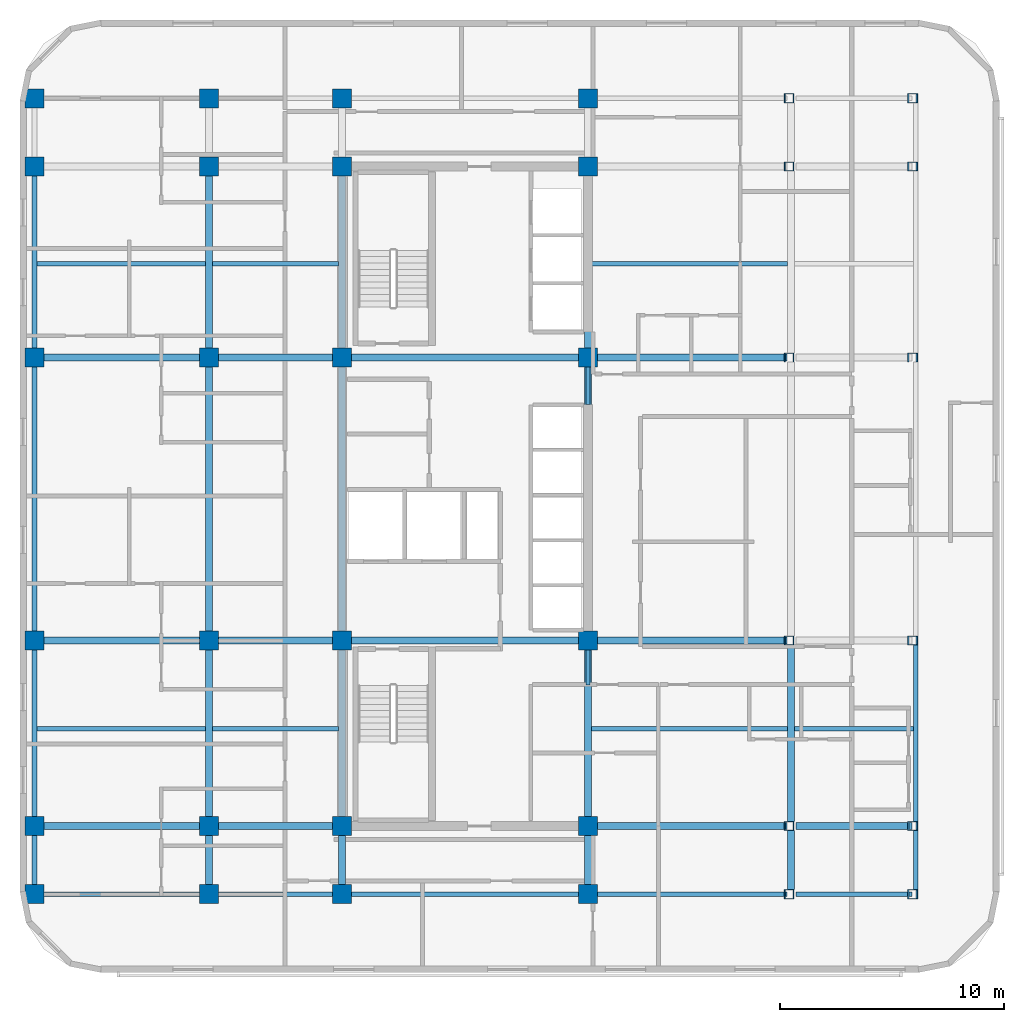
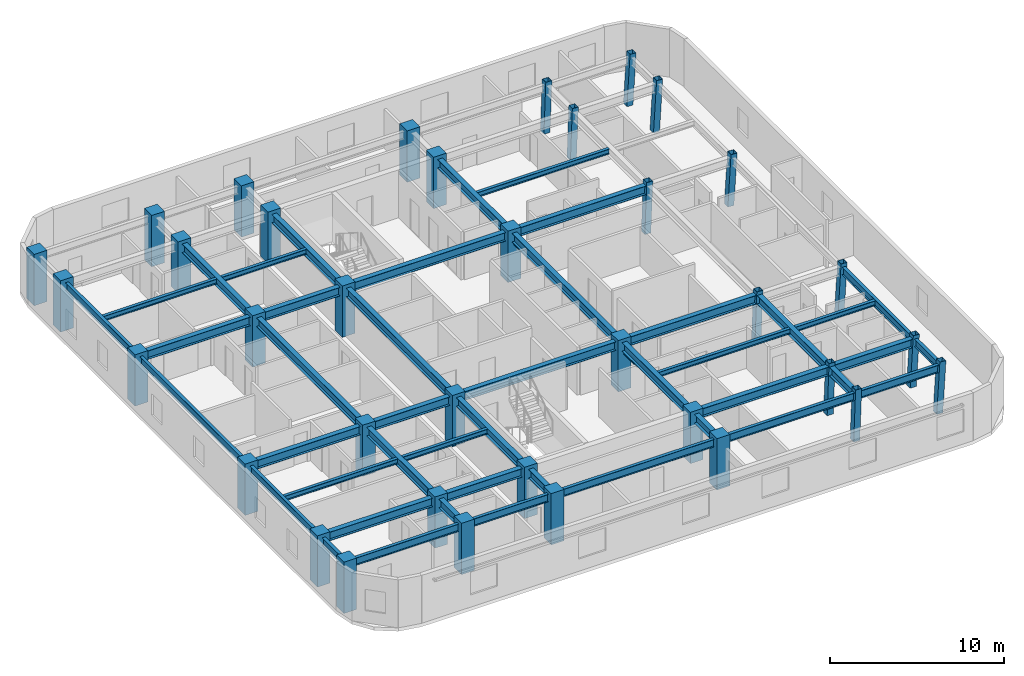
# One storey, part 1 of 11: 46 beams, 36 columns.
"""IFC4 building model written with IfcOpenShell, lengths in metres."""

from ifc_helpers import new_model, si_unit, direction, frame, origin, origin_2d, place, context, subcontext, project, spatial, rectangle, hollow_rectangle, i_section, extrude, material, material_profile, profile_set, type_object, element, save


model = new_model("IFC4")

# Units and contexts
model_context = context("Model", 3, precision=1e-05, world=origin(), true_north=direction((0.0, 1.0)))
body_context = subcontext(model_context, "Body", "Model", "MODEL_VIEW")
ifc_project = project(units=[si_unit("LENGTHUNIT", "METRE"), si_unit("AREAUNIT", "SQUARE_METRE"), si_unit("VOLUMEUNIT", "CUBIC_METRE"), si_unit("PLANEANGLEUNIT", "RADIAN"), si_unit("MASSUNIT", "GRAM", prefix="KILO")], contexts=[model_context])

# Site, building, storey
site_placement = place(None, origin())
site = spatial("IfcSite", under=ifc_project, at=site_placement, CompositionType="ELEMENT")
building_placement = place(site_placement, origin())
building = spatial("IfcBuilding", under=site, at=building_placement, Name="Ochreholt Gables", CompositionType="ELEMENT")
storey_placement = place(building_placement, frame((0.0, 0.0, 121.199951171875)))
storey = spatial("IfcBuildingStorey", under=building, at=storey_placement, Name="L31", CompositionType="ELEMENT", Elevation=121.199951171875)

# Columns
ifc_material_1 = material(Name="Steel CSA G40.21 350W", Category="steel")
ifc_material_profile_1 = material_profile(ifc_material_1, hollow_rectangle(XDim=0.406005859375, YDim=0.406005859375, WallThickness=0.01611328125, at=origin_2d()), Name="HSS406X406X16")
ifc_profile_set_1 = profile_set([ifc_material_profile_1], Name="Steel CSA G40.21 350W")
column_type_1 = type_object("IfcColumnType", Name="COL-HSS406-RAK", PredefinedType="COLUMN", material=ifc_profile_set_1)
for number, where, z_axis, x_axis, name in (
    (1, (44.177978515625, 9.25, 0.0), (0.034971136209, 0.0, 0.999388322742), (0.0, 1.0, 0.0), "L31 Column EMY2"),
    (2, (44.177978515625, 17.550048828125, 0.0), (0.034971136209, 0.0, 0.999388322742), (0.0, 1.0, 0.0), "L31 Column EMY3"),
    (3, (44.177978515625, 30.199951171875, 0.0), (0.034971136209, 0.0, 0.999388322742), (0.0, 1.0, 0.0), "L31 Column EMY4"),
    (4, (44.177978515625, 38.75, 0.0), (0.034971136209, 0.0, 0.999388322742), (0.0, 1.0, 0.0), "L31 Column EMY5"),
):
    element("IfcColumn", number, at=place(storey_placement, frame(where, z_axis=z_axis, x_axis=x_axis)), inside=storey, type_object=column_type_1, Name=name, PredefinedType="COLUMN", context=body_context, shape_type="SweptSolid", body=[
        extrude(hollow_rectangle(XDim=0.406005859375, YDim=0.406005859375, WallThickness=0.01611328125, at=origin_2d()), origin(), (0.0, 0.0, 1.0), 3.602294921875),
    ])
ifc_material_profile_2 = material_profile(ifc_material_1, hollow_rectangle(XDim=0.406005859375, YDim=0.406005859375, WallThickness=0.01611328125, at=origin_2d()), Name="HSS406X406X16")
ifc_profile_set_2 = profile_set([ifc_material_profile_2], Name="Steel CSA G40.21 350W")
column_type_2 = type_object("IfcColumnType", Name="COL-HSS406-RAKE", PredefinedType="COLUMN", material=ifc_profile_set_2)
for number, where, z_axis, x_axis, name in (
    (5, (44.177978515625, 6.199951171875, 0.0), (0.034971136209, 0.0, 0.999388322742), (0.0, 1.0, 0.0), "L31 Column EMY1"),
    (6, (44.177978515625, 41.800048828125, 0.0), (0.034971136209, 0.0, 0.999388322742), (0.0, 1.0, 0.0), "L31 Column EMY6"),
):
    element("IfcColumn", number, at=place(storey_placement, frame(where, z_axis=z_axis, x_axis=x_axis)), inside=storey, type_object=column_type_2, Name=name, PredefinedType="COLUMN", context=body_context, shape_type="SweptSolid", body=[
        extrude(hollow_rectangle(XDim=0.406005859375, YDim=0.406005859375, WallThickness=0.01611328125, at=origin_2d()), origin(), (0.0, 0.0, 1.0), 3.602294921875),
    ])
for number, where, z_axis, x_axis, name in (
    (7, (49.686279296875, 6.199951171875, 0.0), (0.057952080376, 0.0, 0.998319365925), (0.0, 1.0, 0.0), "L31 Column EEY1"),
    (8, (49.686279296875, 9.25, 0.0), (0.057952080376, 0.0, 0.998319365925), (0.0, 1.0, 0.0), "L31 Column EEY2"),
    (9, (49.686279296875, 17.550048828125, 0.0), (0.057952080376, 0.0, 0.998319365925), (0.0, 1.0, 0.0), "L31 Column EEY3"),
    (10, (49.686279296875, 30.199951171875, 0.0), (0.057952080376, 0.0, 0.998319365925), (0.0, 1.0, 0.0), "L31 Column EEY4"),
    (11, (49.686279296875, 38.75, 0.0), (0.057952080376, 0.0, 0.998319365925), (0.0, 1.0, 0.0), "L31 Column EEY5"),
    (12, (49.686279296875, 41.800048828125, 0.0), (0.057952080376, 0.0, 0.998319365925), (0.0, 1.0, 0.0), "L31 Column EEY6"),
):
    element("IfcColumn", number, at=place(storey_placement, frame(where, z_axis=z_axis, x_axis=x_axis)), inside=storey, type_object=column_type_2, Name=name, PredefinedType="COLUMN", context=body_context, shape_type="SweptSolid", body=[
        extrude(hollow_rectangle(XDim=0.406005859375, YDim=0.406005859375, WallThickness=0.01611328125, at=origin_2d()), origin(), (0.0, 0.0, 1.0), 3.606201171875),
    ])
ifc_material_2 = material(Name="Concrete 60 MPa", Category="concrete")
ifc_material_profile_3 = material_profile(ifc_material_2, rectangle(XDim=0.85009765625, YDim=0.85009765625, at=origin_2d()), Name="RC850X850")
ifc_profile_set_3 = profile_set([ifc_material_profile_3], Name="Concrete 60 MPa")
column_type_3 = type_object("IfcColumnType", Name="COL-RC850-EXT", PredefinedType="COLUMN", material=ifc_profile_set_3)
for number, where, z_axis, x_axis, name in (
    (13, (10.449951171875, 6.199951171875, 0.0), (0.0, 0.0, 1.0), (1.0, 0.0, 0.0), "L31 Column W2Y1"),
    (14, (10.449951171875, 9.25, 0.0), (0.0, 0.0, 1.0), (1.0, 0.0, 0.0), "L31 Column W2Y2"),
    (15, (10.449951171875, 17.550048828125, 0.0), (0.0, 0.0, 1.0), (1.0, 0.0, 0.0), "L31 Column W2Y3"),
    (16, (10.449951171875, 30.199951171875, 0.0), (0.0, 0.0, 1.0), (1.0, 0.0, 0.0), "L31 Column W2Y4"),
    (17, (10.449951171875, 38.75, 0.0), (0.0, 0.0, 1.0), (1.0, 0.0, 0.0), "L31 Column W2Y5"),
    (18, (10.449951171875, 41.800048828125, 0.0), (0.0, 0.0, 1.0), (1.0, 0.0, 0.0), "L31 Column W2Y6"),
    (19, (18.25, 6.199951171875, 0.0), (0.0, 0.0, 1.0), (1.0, 0.0, 0.0), "L31 Column W3Y1"),
    (20, (18.25, 41.800048828125, 0.0), (0.0, 0.0, 1.0), (1.0, 0.0, 0.0), "L31 Column W3Y6"),
    (21, (24.199951171875, 6.199951171875, 0.0), (0.0, 0.0, 1.0), (1.0, 0.0, 0.0), "L31 Column C1Y1"),
    (22, (24.199951171875, 41.800048828125, 0.0), (0.0, 0.0, 1.0), (1.0, 0.0, 0.0), "L31 Column C1Y6"),
    (23, (35.199951171875, 6.199951171875, 0.0), (0.0, 0.0, 1.0), (1.0, 0.0, 0.0), "L31 Column C2Y1"),
    (24, (35.199951171875, 41.800048828125, 0.0), (0.0, 0.0, 1.0), (1.0, 0.0, 0.0), "L31 Column C2Y6"),
):
    element("IfcColumn", number, at=place(storey_placement, frame(where, z_axis=z_axis, x_axis=x_axis)), inside=storey, type_object=column_type_3, Name=name, PredefinedType="COLUMN", context=body_context, shape_type="SweptSolid", body=[
        extrude(rectangle(XDim=0.85009765625, YDim=0.85009765625, at=origin_2d()), origin(), (0.0, 0.0, 1.0), 3.60009765625),
    ])
ifc_material_profile_4 = material_profile(ifc_material_2, rectangle(XDim=0.85009765625, YDim=0.85009765625, at=origin_2d()), Name="RC850X850")
ifc_profile_set_4 = profile_set([ifc_material_profile_4], Name="Concrete 60 MPa")
column_type_4 = type_object("IfcColumnType", Name="COL-RC850-INT", PredefinedType="COLUMN", material=ifc_profile_set_4)
for number, where, z_axis, x_axis, name in (
    (25, (18.25, 9.25, 0.0), (0.0, 0.0, 1.0), (1.0, 0.0, 0.0), "L31 Column W3Y2"),
    (26, (18.25, 17.550048828125, 0.0), (0.0, 0.0, 1.0), (1.0, 0.0, 0.0), "L31 Column W3Y3"),
    (27, (18.25, 30.199951171875, 0.0), (0.0, 0.0, 1.0), (1.0, 0.0, 0.0), "L31 Column W3Y4"),
    (28, (18.25, 38.75, 0.0), (0.0, 0.0, 1.0), (1.0, 0.0, 0.0), "L31 Column W3Y5"),
    (29, (24.199951171875, 9.25, 0.0), (0.0, 0.0, 1.0), (1.0, 0.0, 0.0), "L31 Column C1Y2"),
    (30, (24.199951171875, 17.550048828125, 0.0), (0.0, 0.0, 1.0), (1.0, 0.0, 0.0), "L31 Column C1Y3"),
    (31, (24.199951171875, 30.199951171875, 0.0), (0.0, 0.0, 1.0), (1.0, 0.0, 0.0), "L31 Column C1Y4"),
    (32, (24.199951171875, 38.75, 0.0), (0.0, 0.0, 1.0), (1.0, 0.0, 0.0), "L31 Column C1Y5"),
    (33, (35.199951171875, 9.25, 0.0), (0.0, 0.0, 1.0), (1.0, 0.0, 0.0), "L31 Column C2Y2"),
    (34, (35.199951171875, 17.550048828125, 0.0), (0.0, 0.0, 1.0), (1.0, 0.0, 0.0), "L31 Column C2Y3"),
    (35, (35.199951171875, 30.199951171875, 0.0), (0.0, 0.0, 1.0), (1.0, 0.0, 0.0), "L31 Column C2Y4"),
    (36, (35.199951171875, 38.75, 0.0), (0.0, 0.0, 1.0), (1.0, 0.0, 0.0), "L31 Column C2Y5"),
):
    element("IfcColumn", number, at=place(storey_placement, frame(where, z_axis=z_axis, x_axis=x_axis)), inside=storey, type_object=column_type_4, Name=name, PredefinedType="COLUMN", context=body_context, shape_type="SweptSolid", body=[
        extrude(rectangle(XDim=0.85009765625, YDim=0.85009765625, at=origin_2d()), origin(), (0.0, 0.0, 1.0), 3.60009765625),
    ])

# Beams
ifc_material_profile_5 = material_profile(ifc_material_1, i_section(OverallWidth=0.323974609375, OverallDepth=0.611083984375, WebThickness=0.0126953125, FlangeThickness=0.01904296875, at=origin_2d()), Name="W610X155")
ifc_profile_set_5 = profile_set([ifc_material_profile_5], Name="Steel CSA G40.21 350W")
beam_type_1 = type_object("IfcBeamType", Name="BM-G-W610A", PredefinedType="BEAM", material=ifc_profile_set_5)
beam_1_placement = place(storey_placement, frame((10.87451171875, 9.25, 3.054443359375), z_axis=(1.0, 0.0, 0.0), x_axis=(0.0, 1.0, 0.0)))
element("IfcBeam", 37, at=beam_1_placement, inside=storey, type_object=beam_type_1, Name="L31 Beam TBG-L31-W2W3-Y2", PredefinedType="BEAM", context=body_context, shape_type="SweptSolid", body=[
    extrude(i_section(OverallWidth=0.323974609375, OverallDepth=0.611083984375, WebThickness=0.0126953125, FlangeThickness=0.01904296875, at=origin_2d()), origin(), (0.0, 0.0, 1.0), 6.950927734375),
])
beam_2_placement = place(storey_placement, frame((18.674560546875, 9.25, 3.054443359375), z_axis=(1.0, 0.0, 0.0), x_axis=(0.0, 1.0, 0.0)))
element("IfcBeam", 38, at=beam_2_placement, inside=storey, type_object=beam_type_1, Name="L31 Beam TBG-L31-W3C1-Y2", PredefinedType="BEAM", context=body_context, shape_type="SweptSolid", body=[
    extrude(i_section(OverallWidth=0.323974609375, OverallDepth=0.611083984375, WebThickness=0.0126953125, FlangeThickness=0.01904296875, at=origin_2d()), origin(), (0.0, 0.0, 1.0), 5.100830078125),
])
beam_3_placement = place(storey_placement, frame((35.62451171875, 9.25, 3.054443359375), z_axis=(1.0, 0.0, 0.0), x_axis=(0.0, 1.0, 0.0)))
element("IfcBeam", 39, at=beam_3_placement, inside=storey, type_object=beam_type_1, Name="L31 Beam TBG-L31-C2EM-Y2", PredefinedType="BEAM", context=body_context, shape_type="SweptSolid", body=[
    extrude(i_section(OverallWidth=0.323974609375, OverallDepth=0.611083984375, WebThickness=0.0126953125, FlangeThickness=0.01904296875, at=origin_2d()), origin(), (0.0, 0.0, 1.0), 8.476806640625),
])
beam_4_placement = place(storey_placement, frame((44.506591796875, 9.25, 3.054443359375), z_axis=(1.0, 0.0, 0.0), x_axis=(0.0, 1.0, 0.0)))
element("IfcBeam", 40, at=beam_4_placement, inside=storey, type_object=beam_type_1, Name="L31 Beam TBG-L31-EMEE-Y2", PredefinedType="BEAM", context=body_context, shape_type="SweptSolid", body=[
    extrude(i_section(OverallWidth=0.323974609375, OverallDepth=0.611083984375, WebThickness=0.0126953125, FlangeThickness=0.01904296875, at=origin_2d()), origin(), (0.0, 0.0, 1.0), 5.18603515625),
])
beam_5_placement = place(storey_placement, frame((10.87451171875, 17.550048828125, 3.054443359375), z_axis=(1.0, 0.0, 0.0), x_axis=(0.0, 1.0, 0.0)))
element("IfcBeam", 41, at=beam_5_placement, inside=storey, type_object=beam_type_1, Name="L31 Beam TBG-L31-W2W3-Y3", PredefinedType="BEAM", context=body_context, shape_type="SweptSolid", body=[
    extrude(i_section(OverallWidth=0.323974609375, OverallDepth=0.611083984375, WebThickness=0.0126953125, FlangeThickness=0.01904296875, at=origin_2d()), origin(), (0.0, 0.0, 1.0), 6.950927734375),
])
beam_6_placement = place(storey_placement, frame((18.674560546875, 17.550048828125, 3.054443359375), z_axis=(1.0, 0.0, 0.0), x_axis=(0.0, 1.0, 0.0)))
element("IfcBeam", 42, at=beam_6_placement, inside=storey, type_object=beam_type_1, Name="L31 Beam TBG-L31-W3C1-Y3", PredefinedType="BEAM", context=body_context, shape_type="SweptSolid", body=[
    extrude(i_section(OverallWidth=0.323974609375, OverallDepth=0.611083984375, WebThickness=0.0126953125, FlangeThickness=0.01904296875, at=origin_2d()), origin(), (0.0, 0.0, 1.0), 5.100830078125),
])
beam_7_placement = place(storey_placement, frame((24.62451171875, 17.550048828125, 3.054443359375), z_axis=(1.0, 0.0, 0.0), x_axis=(0.0, 1.0, 0.0)))
element("IfcBeam", 43, at=beam_7_placement, inside=storey, type_object=beam_type_1, Name="L31 Beam TBG-L31-C1C2-Y3", PredefinedType="BEAM", context=body_context, shape_type="SweptSolid", body=[
    extrude(i_section(OverallWidth=0.323974609375, OverallDepth=0.611083984375, WebThickness=0.0126953125, FlangeThickness=0.01904296875, at=origin_2d()), origin(), (0.0, 0.0, 1.0), 10.15087890625),
])
beam_8_placement = place(storey_placement, frame((35.62451171875, 17.550048828125, 3.054443359375), z_axis=(1.0, 0.0, 0.0), x_axis=(0.0, 1.0, 0.0)))
element("IfcBeam", 44, at=beam_8_placement, inside=storey, type_object=beam_type_1, Name="L31 Beam TBG-L31-C2EM-Y3", PredefinedType="BEAM", context=body_context, shape_type="SweptSolid", body=[
    extrude(i_section(OverallWidth=0.323974609375, OverallDepth=0.611083984375, WebThickness=0.0126953125, FlangeThickness=0.01904296875, at=origin_2d()), origin(), (0.0, 0.0, 1.0), 8.476806640625),
])
beam_9_placement = place(storey_placement, frame((10.87451171875, 30.199951171875, 3.054443359375), z_axis=(1.0, 0.0, 0.0), x_axis=(0.0, 1.0, 0.0)))
element("IfcBeam", 45, at=beam_9_placement, inside=storey, type_object=beam_type_1, Name="L31 Beam TBG-L31-W2W3-Y4", PredefinedType="BEAM", context=body_context, shape_type="SweptSolid", body=[
    extrude(i_section(OverallWidth=0.323974609375, OverallDepth=0.611083984375, WebThickness=0.0126953125, FlangeThickness=0.01904296875, at=origin_2d()), origin(), (0.0, 0.0, 1.0), 6.950927734375),
])
beam_10_placement = place(storey_placement, frame((18.674560546875, 30.199951171875, 3.054443359375), z_axis=(1.0, 0.0, 0.0), x_axis=(0.0, 1.0, 0.0)))
element("IfcBeam", 46, at=beam_10_placement, inside=storey, type_object=beam_type_1, Name="L31 Beam TBG-L31-W3C1-Y4", PredefinedType="BEAM", context=body_context, shape_type="SweptSolid", body=[
    extrude(i_section(OverallWidth=0.323974609375, OverallDepth=0.611083984375, WebThickness=0.0126953125, FlangeThickness=0.01904296875, at=origin_2d()), origin(), (0.0, 0.0, 1.0), 5.100830078125),
])
beam_11_placement = place(storey_placement, frame((24.62451171875, 30.199951171875, 3.054443359375), z_axis=(1.0, 0.0, 0.0), x_axis=(0.0, 1.0, 0.0)))
element("IfcBeam", 47, at=beam_11_placement, inside=storey, type_object=beam_type_1, Name="L31 Beam TBG-L31-C1C2-Y4", PredefinedType="BEAM", context=body_context, shape_type="SweptSolid", body=[
    extrude(i_section(OverallWidth=0.323974609375, OverallDepth=0.611083984375, WebThickness=0.0126953125, FlangeThickness=0.01904296875, at=origin_2d()), origin(), (0.0, 0.0, 1.0), 10.15087890625),
])
beam_12_placement = place(storey_placement, frame((35.62451171875, 30.199951171875, 3.054443359375), z_axis=(1.0, 0.0, 0.0), x_axis=(0.0, 1.0, 0.0)))
element("IfcBeam", 48, at=beam_12_placement, inside=storey, type_object=beam_type_1, Name="L31 Beam TBG-L31-C2EM-Y4", PredefinedType="BEAM", context=body_context, shape_type="SweptSolid", body=[
    extrude(i_section(OverallWidth=0.323974609375, OverallDepth=0.611083984375, WebThickness=0.0126953125, FlangeThickness=0.01904296875, at=origin_2d()), origin(), (0.0, 0.0, 1.0), 8.476806640625),
])
beam_13_placement = place(storey_placement, frame((18.25, 6.62451171875, 3.054443359375), z_axis=(0.0, 1.0, 0.0), x_axis=(-1.0, 0.0, 0.0)))
element("IfcBeam", 49, at=beam_13_placement, inside=storey, type_object=beam_type_1, Name="L31 Beam TBN-L31-W3-Y1Y2", PredefinedType="BEAM", context=body_context, shape_type="SweptSolid", body=[
    extrude(i_section(OverallWidth=0.323974609375, OverallDepth=0.611083984375, WebThickness=0.0126953125, FlangeThickness=0.01904296875, at=origin_2d()), origin(), (0.0, 0.0, 1.0), 2.200927734375),
])
beam_14_placement = place(storey_placement, frame((18.25, 9.674560546875, 3.054443359375), z_axis=(0.0, 1.0, 0.0), x_axis=(-1.0, 0.0, 0.0)))
element("IfcBeam", 50, at=beam_14_placement, inside=storey, type_object=beam_type_1, Name="L31 Beam TBN-L31-W3-Y2Y3", PredefinedType="BEAM", context=body_context, shape_type="SweptSolid", body=[
    extrude(i_section(OverallWidth=0.323974609375, OverallDepth=0.611083984375, WebThickness=0.0126953125, FlangeThickness=0.01904296875, at=origin_2d()), origin(), (0.0, 0.0, 1.0), 7.450927734375),
])
beam_15_placement = place(storey_placement, frame((18.25, 17.974609375, 3.054443359375), z_axis=(0.0, 1.0, 0.0), x_axis=(-1.0, 0.0, 0.0)))
element("IfcBeam", 51, at=beam_15_placement, inside=storey, type_object=beam_type_1, Name="L31 Beam TBN-L31-W3-Y3Y4", PredefinedType="BEAM", context=body_context, shape_type="SweptSolid", body=[
    extrude(i_section(OverallWidth=0.323974609375, OverallDepth=0.611083984375, WebThickness=0.0126953125, FlangeThickness=0.01904296875, at=origin_2d()), origin(), (0.0, 0.0, 1.0), 11.80078125),
])
beam_16_placement = place(storey_placement, frame((18.25, 30.62451171875, 3.054443359375), z_axis=(0.0, 1.0, 0.0), x_axis=(-1.0, 0.0, 0.0)))
element("IfcBeam", 52, at=beam_16_placement, inside=storey, type_object=beam_type_1, Name="L31 Beam TBN-L31-W3-Y4Y5", PredefinedType="BEAM", context=body_context, shape_type="SweptSolid", body=[
    extrude(i_section(OverallWidth=0.323974609375, OverallDepth=0.611083984375, WebThickness=0.0126953125, FlangeThickness=0.01904296875, at=origin_2d()), origin(), (0.0, 0.0, 1.0), 7.700927734375),
])
beam_17_placement = place(storey_placement, frame((24.199951171875, 6.62451171875, 3.054443359375), z_axis=(0.0, 1.0, 0.0), x_axis=(-1.0, 0.0, 0.0)))
element("IfcBeam", 53, at=beam_17_placement, inside=storey, type_object=beam_type_1, Name="L31 Beam TBN-L31-C1-Y1Y2", PredefinedType="BEAM", context=body_context, shape_type="SweptSolid", body=[
    extrude(i_section(OverallWidth=0.323974609375, OverallDepth=0.611083984375, WebThickness=0.0126953125, FlangeThickness=0.01904296875, at=origin_2d()), origin(), (0.0, 0.0, 1.0), 2.200927734375),
])
beam_18_placement = place(storey_placement, frame((24.199951171875, 9.674560546875, 3.054443359375), z_axis=(0.0, 1.0, 0.0), x_axis=(-1.0, 0.0, 0.0)))
element("IfcBeam", 54, at=beam_18_placement, inside=storey, type_object=beam_type_1, Name="L31 Beam TBN-L31-C1-Y2Y3", PredefinedType="BEAM", context=body_context, shape_type="SweptSolid", body=[
    extrude(i_section(OverallWidth=0.323974609375, OverallDepth=0.611083984375, WebThickness=0.0126953125, FlangeThickness=0.01904296875, at=origin_2d()), origin(), (0.0, 0.0, 1.0), 7.450927734375),
])
beam_19_placement = place(storey_placement, frame((24.199951171875, 17.974609375, 3.054443359375), z_axis=(0.0, 1.0, 0.0), x_axis=(-1.0, 0.0, 0.0)))
element("IfcBeam", 55, at=beam_19_placement, inside=storey, type_object=beam_type_1, Name="L31 Beam TBN-L31-C1-Y3Y4", PredefinedType="BEAM", context=body_context, shape_type="SweptSolid", body=[
    extrude(i_section(OverallWidth=0.323974609375, OverallDepth=0.611083984375, WebThickness=0.0126953125, FlangeThickness=0.01904296875, at=origin_2d()), origin(), (0.0, 0.0, 1.0), 11.80078125),
])
beam_20_placement = place(storey_placement, frame((24.199951171875, 30.62451171875, 3.054443359375), z_axis=(0.0, 1.0, 0.0), x_axis=(-1.0, 0.0, 0.0)))
element("IfcBeam", 56, at=beam_20_placement, inside=storey, type_object=beam_type_1, Name="L31 Beam TBN-L31-C1-Y4Y5", PredefinedType="BEAM", context=body_context, shape_type="SweptSolid", body=[
    extrude(i_section(OverallWidth=0.323974609375, OverallDepth=0.611083984375, WebThickness=0.0126953125, FlangeThickness=0.01904296875, at=origin_2d()), origin(), (0.0, 0.0, 1.0), 7.700927734375),
])
beam_21_placement = place(storey_placement, frame((35.199951171875, 6.62451171875, 3.054443359375), z_axis=(0.0, 1.0, 0.0), x_axis=(-1.0, 0.0, 0.0)))
element("IfcBeam", 57, at=beam_21_placement, inside=storey, type_object=beam_type_1, Name="L31 Beam TBN-L31-C2-Y1Y2", PredefinedType="BEAM", context=body_context, shape_type="SweptSolid", body=[
    extrude(i_section(OverallWidth=0.323974609375, OverallDepth=0.611083984375, WebThickness=0.0126953125, FlangeThickness=0.01904296875, at=origin_2d()), origin(), (0.0, 0.0, 1.0), 2.200927734375),
])
beam_22_placement = place(storey_placement, frame((35.199951171875, 9.674560546875, 3.054443359375), z_axis=(0.0, 1.0, 0.0), x_axis=(-1.0, 0.0, 0.0)))
element("IfcBeam", 58, at=beam_22_placement, inside=storey, type_object=beam_type_1, Name="L31 Beam TBN-L31-C2-Y2Y3", PredefinedType="BEAM", context=body_context, shape_type="SweptSolid", body=[
    extrude(i_section(OverallWidth=0.323974609375, OverallDepth=0.611083984375, WebThickness=0.0126953125, FlangeThickness=0.01904296875, at=origin_2d()), origin(), (0.0, 0.0, 1.0), 7.450927734375),
])
beam_23_placement = place(storey_placement, frame((35.199951171875, 17.974609375, 3.054443359375), z_axis=(0.0, 1.0, 0.0), x_axis=(-1.0, 0.0, 0.0)))
element("IfcBeam", 59, at=beam_23_placement, inside=storey, type_object=beam_type_1, Name="L31 Beam TBN-L31-C2-Y3Y4", PredefinedType="BEAM", context=body_context, shape_type="SweptSolid", body=[
    extrude(i_section(OverallWidth=0.323974609375, OverallDepth=0.611083984375, WebThickness=0.0126953125, FlangeThickness=0.01904296875, at=origin_2d()), origin(), (0.0, 0.0, 1.0), 11.80078125),
])
beam_24_placement = place(storey_placement, frame((35.199951171875, 30.62451171875, 3.054443359375), z_axis=(0.0, 1.0, 0.0), x_axis=(-1.0, 0.0, 0.0)))
element("IfcBeam", 60, at=beam_24_placement, inside=storey, type_object=beam_type_1, Name="L31 Beam TBN-L31-C2-Y4Y5", PredefinedType="BEAM", context=body_context, shape_type="SweptSolid", body=[
    extrude(i_section(OverallWidth=0.323974609375, OverallDepth=0.611083984375, WebThickness=0.0126953125, FlangeThickness=0.01904296875, at=origin_2d()), origin(), (0.0, 0.0, 1.0), 7.700927734375),
])
beam_25_placement = place(storey_placement, frame((44.286865234375, 6.402587890625, 3.054443359375), z_axis=(0.0, 1.0, 0.0), x_axis=(-1.0, 0.0, 0.0)))
element("IfcBeam", 61, at=beam_25_placement, inside=storey, type_object=beam_type_1, Name="L31 Beam TBN-L31-EM-Y1Y2", PredefinedType="BEAM", context=body_context, shape_type="SweptSolid", body=[
    extrude(i_section(OverallWidth=0.323974609375, OverallDepth=0.611083984375, WebThickness=0.0126953125, FlangeThickness=0.01904296875, at=origin_2d()), origin(), (0.0, 0.0, 1.0), 2.644775390625),
])
beam_26_placement = place(storey_placement, frame((44.286865234375, 9.45263671875, 3.054443359375), z_axis=(0.0, 1.0, 0.0), x_axis=(-1.0, 0.0, 0.0)))
element("IfcBeam", 62, at=beam_26_placement, inside=storey, type_object=beam_type_1, Name="L31 Beam TBN-L31-EM-Y2Y3", PredefinedType="BEAM", context=body_context, shape_type="SweptSolid", body=[
    extrude(i_section(OverallWidth=0.323974609375, OverallDepth=0.611083984375, WebThickness=0.0126953125, FlangeThickness=0.01904296875, at=origin_2d()), origin(), (0.0, 0.0, 1.0), 7.894775390625),
])
ifc_material_profile_6 = material_profile(ifc_material_1, i_section(OverallWidth=0.205078125, OverallDepth=0.35400390625, WebThickness=0.009521484375, FlangeThickness=0.016845703125, at=origin_2d()), Name="W360X79")
ifc_profile_set_6 = profile_set([ifc_material_profile_6], Name="Steel CSA G40.21 350W")
beam_type_2 = type_object("IfcBeamType", Name="BM-J-W360A", PredefinedType="JOIST", material=ifc_profile_set_6)
beam_27_placement = place(storey_placement, frame((10.55419921875, 13.60009765625, 3.18310546875), z_axis=(1.0, 0.0, 0.0), x_axis=(0.0, 1.0, 0.0)))
element("IfcBeam", 63, at=beam_27_placement, inside=storey, type_object=beam_type_2, Name="L31 Beam TBJ-L31-J1-W2W3", PredefinedType="JOIST", context=body_context, shape_type="SweptSolid", body=[
    extrude(i_section(OverallWidth=0.205078125, OverallDepth=0.35400390625, WebThickness=0.009521484375, FlangeThickness=0.016845703125, at=origin_2d()), origin(), (0.0, 0.0, 1.0), 7.5341796875),
])
beam_28_placement = place(storey_placement, frame((18.41162109375, 13.60009765625, 3.18310546875), z_axis=(1.0, 0.0, 0.0), x_axis=(0.0, 1.0, 0.0)))
element("IfcBeam", 64, at=beam_28_placement, inside=storey, type_object=beam_type_2, Name="L31 Beam TBJ-L31-J1-W3C1", PredefinedType="JOIST", context=body_context, shape_type="SweptSolid", body=[
    extrude(i_section(OverallWidth=0.205078125, OverallDepth=0.35400390625, WebThickness=0.009521484375, FlangeThickness=0.016845703125, at=origin_2d()), origin(), (0.0, 0.0, 1.0), 5.626708984375),
])
beam_29_placement = place(storey_placement, frame((35.361572265625, 13.60009765625, 3.18310546875), z_axis=(1.0, 0.0, 0.0), x_axis=(0.0, 1.0, 0.0)))
element("IfcBeam", 65, at=beam_29_placement, inside=storey, type_object=beam_type_2, Name="L31 Beam TBJ-L31-J1-C2EM", PredefinedType="JOIST", context=body_context, shape_type="SweptSolid", body=[
    extrude(i_section(OverallWidth=0.205078125, OverallDepth=0.35400390625, WebThickness=0.009521484375, FlangeThickness=0.016845703125, at=origin_2d()), origin(), (0.0, 0.0, 1.0), 8.763671875),
])
beam_30_placement = place(storey_placement, frame((44.448486328125, 13.60009765625, 3.18310546875), z_axis=(1.0, 0.0, 0.0), x_axis=(0.0, 1.0, 0.0)))
element("IfcBeam", 66, at=beam_30_placement, inside=storey, type_object=beam_type_2, Name="L31 Beam TBJ-L31-J1-EMEE", PredefinedType="JOIST", context=body_context, shape_type="SweptSolid", body=[
    extrude(i_section(OverallWidth=0.205078125, OverallDepth=0.35400390625, WebThickness=0.009521484375, FlangeThickness=0.016845703125, at=origin_2d()), origin(), (0.0, 0.0, 1.0), 5.314208984375),
])
beam_31_placement = place(storey_placement, frame((10.55419921875, 34.39990234375, 3.18310546875), z_axis=(1.0, 0.0, 0.0), x_axis=(0.0, 1.0, 0.0)))
element("IfcBeam", 67, at=beam_31_placement, inside=storey, type_object=beam_type_2, Name="L31 Beam TBJ-L31-J2-W2W3", PredefinedType="JOIST", context=body_context, shape_type="SweptSolid", body=[
    extrude(i_section(OverallWidth=0.205078125, OverallDepth=0.35400390625, WebThickness=0.009521484375, FlangeThickness=0.016845703125, at=origin_2d()), origin(), (0.0, 0.0, 1.0), 7.5341796875),
])
beam_32_placement = place(storey_placement, frame((18.41162109375, 34.39990234375, 3.18310546875), z_axis=(1.0, 0.0, 0.0), x_axis=(0.0, 1.0, 0.0)))
element("IfcBeam", 68, at=beam_32_placement, inside=storey, type_object=beam_type_2, Name="L31 Beam TBJ-L31-J2-W3C1", PredefinedType="JOIST", context=body_context, shape_type="SweptSolid", body=[
    extrude(i_section(OverallWidth=0.205078125, OverallDepth=0.35400390625, WebThickness=0.009521484375, FlangeThickness=0.016845703125, at=origin_2d()), origin(), (0.0, 0.0, 1.0), 5.626708984375),
])
beam_33_placement = place(storey_placement, frame((35.361572265625, 34.39990234375, 3.18310546875), z_axis=(1.0, 0.0, 0.0), x_axis=(0.0, 1.0, 0.0)))
element("IfcBeam", 69, at=beam_33_placement, inside=storey, type_object=beam_type_2, Name="L31 Beam TBJ-L31-J2-C2EM", PredefinedType="JOIST", context=body_context, shape_type="SweptSolid", body=[
    extrude(i_section(OverallWidth=0.205078125, OverallDepth=0.35400390625, WebThickness=0.009521484375, FlangeThickness=0.016845703125, at=origin_2d()), origin(), (0.0, 0.0, 1.0), 8.763671875),
])
ifc_material_profile_7 = material_profile(ifc_material_1, i_section(OverallWidth=0.1650390625, OverallDepth=0.200927734375, WebThickness=0.006103515625, FlangeThickness=0.01025390625, at=origin_2d()), Name="W200X36")
ifc_profile_set_7 = profile_set([ifc_material_profile_7], Name="Steel CSA G40.21 350W")
beam_type_3 = type_object("IfcBeamType", Name="BM-LIN-W200", PredefinedType="LINTEL", material=ifc_profile_set_7)
beam_34_placement = place(storey_placement, frame((35.199951171875, 15.550048828125, 2.6484375), z_axis=(0.0, 1.0, 0.0), x_axis=(-1.0, 0.0, 0.0)))
element("IfcBeam", 70, at=beam_34_placement, inside=storey, type_object=beam_type_3, Name="L31 Core Coupling Lintel CPS", PredefinedType="LINTEL", context=body_context, shape_type="SweptSolid", body=[
    extrude(i_section(OverallWidth=0.1650390625, OverallDepth=0.200927734375, WebThickness=0.006103515625, FlangeThickness=0.01025390625, at=origin_2d()), origin(), (0.0, 0.0, 1.0), 1.574951171875),
])
beam_35_placement = place(storey_placement, frame((35.199951171875, 28.10009765625, 2.6484375), z_axis=(0.0, 1.0, 0.0), x_axis=(-1.0, 0.0, 0.0)))
element("IfcBeam", 71, at=beam_35_placement, inside=storey, type_object=beam_type_3, Name="L31 Core Coupling Lintel CPN", PredefinedType="LINTEL", context=body_context, shape_type="SweptSolid", body=[
    extrude(i_section(OverallWidth=0.1650390625, OverallDepth=0.200927734375, WebThickness=0.006103515625, FlangeThickness=0.01025390625, at=origin_2d()), origin(), (0.0, 0.0, 1.0), 1.6748046875),
])
ifc_material_profile_8 = material_profile(ifc_material_1, i_section(OverallWidth=0.208984375, OverallDepth=0.532958984375, WebThickness=0.01025390625, FlangeThickness=0.015625, at=origin_2d()), Name="W530X92")
ifc_profile_set_8 = profile_set([ifc_material_profile_8], Name="Steel CSA G40.21 350W")
beam_type_4 = type_object("IfcBeamType", Name="BM-SP-W530B", PredefinedType="SPANDREL", material=ifc_profile_set_8)
beam_36_placement = place(storey_placement, frame((10.87451171875, 6.199951171875, 3.093505859375), z_axis=(1.0, 0.0, 0.0), x_axis=(0.0, 1.0, 0.0)))
element("IfcBeam", 72, at=beam_36_placement, inside=storey, type_object=beam_type_4, Name="L31 Beam TBG-L31-W2W3-Y1", PredefinedType="SPANDREL", context=body_context, shape_type="SweptSolid", body=[
    extrude(i_section(OverallWidth=0.208984375, OverallDepth=0.532958984375, WebThickness=0.01025390625, FlangeThickness=0.015625, at=origin_2d()), origin(), (0.0, 0.0, 1.0), 6.950927734375),
])
beam_37_placement = place(storey_placement, frame((18.674560546875, 6.199951171875, 3.093505859375), z_axis=(1.0, 0.0, 0.0), x_axis=(0.0, 1.0, 0.0)))
element("IfcBeam", 73, at=beam_37_placement, inside=storey, type_object=beam_type_4, Name="L31 Beam TBG-L31-W3C1-Y1", PredefinedType="SPANDREL", context=body_context, shape_type="SweptSolid", body=[
    extrude(i_section(OverallWidth=0.208984375, OverallDepth=0.532958984375, WebThickness=0.01025390625, FlangeThickness=0.015625, at=origin_2d()), origin(), (0.0, 0.0, 1.0), 5.100830078125),
])
beam_38_placement = place(storey_placement, frame((24.62451171875, 6.199951171875, 3.093505859375), z_axis=(1.0, 0.0, 0.0), x_axis=(0.0, 1.0, 0.0)))
element("IfcBeam", 74, at=beam_38_placement, inside=storey, type_object=beam_type_4, Name="L31 Beam TBG-L31-C1C2-Y1", PredefinedType="SPANDREL", context=body_context, shape_type="SweptSolid", body=[
    extrude(i_section(OverallWidth=0.208984375, OverallDepth=0.532958984375, WebThickness=0.01025390625, FlangeThickness=0.015625, at=origin_2d()), origin(), (0.0, 0.0, 1.0), 10.15087890625),
])
beam_39_placement = place(storey_placement, frame((35.62451171875, 6.199951171875, 3.093505859375), z_axis=(1.0, 0.0, 0.0), x_axis=(0.0, 1.0, 0.0)))
element("IfcBeam", 75, at=beam_39_placement, inside=storey, type_object=beam_type_4, Name="L31 Beam TBG-L31-C2EM-Y1", PredefinedType="SPANDREL", context=body_context, shape_type="SweptSolid", body=[
    extrude(i_section(OverallWidth=0.208984375, OverallDepth=0.532958984375, WebThickness=0.01025390625, FlangeThickness=0.015625, at=origin_2d()), origin(), (0.0, 0.0, 1.0), 8.476806640625),
])
beam_40_placement = place(storey_placement, frame((44.506591796875, 6.199951171875, 3.093505859375), z_axis=(1.0, 0.0, 0.0), x_axis=(0.0, 1.0, 0.0)))
element("IfcBeam", 76, at=beam_40_placement, inside=storey, type_object=beam_type_4, Name="L31 Beam TBG-L31-EMEE-Y1", PredefinedType="SPANDREL", context=body_context, shape_type="SweptSolid", body=[
    extrude(i_section(OverallWidth=0.208984375, OverallDepth=0.532958984375, WebThickness=0.01025390625, FlangeThickness=0.015625, at=origin_2d()), origin(), (0.0, 0.0, 1.0), 5.18603515625),
])
beam_41_placement = place(storey_placement, frame((10.449951171875, 6.62451171875, 3.093505859375), z_axis=(0.0, 1.0, 0.0), x_axis=(-1.0, 0.0, 0.0)))
element("IfcBeam", 77, at=beam_41_placement, inside=storey, type_object=beam_type_4, Name="L31 Beam TBN-L31-W2-Y1Y2", PredefinedType="SPANDREL", context=body_context, shape_type="SweptSolid", body=[
    extrude(i_section(OverallWidth=0.208984375, OverallDepth=0.532958984375, WebThickness=0.01025390625, FlangeThickness=0.015625, at=origin_2d()), origin(), (0.0, 0.0, 1.0), 2.200927734375),
])
beam_42_placement = place(storey_placement, frame((10.449951171875, 9.674560546875, 3.093505859375), z_axis=(0.0, 1.0, 0.0), x_axis=(-1.0, 0.0, 0.0)))
element("IfcBeam", 78, at=beam_42_placement, inside=storey, type_object=beam_type_4, Name="L31 Beam TBN-L31-W2-Y2Y3", PredefinedType="SPANDREL", context=body_context, shape_type="SweptSolid", body=[
    extrude(i_section(OverallWidth=0.208984375, OverallDepth=0.532958984375, WebThickness=0.01025390625, FlangeThickness=0.015625, at=origin_2d()), origin(), (0.0, 0.0, 1.0), 7.450927734375),
])
beam_43_placement = place(storey_placement, frame((10.449951171875, 17.974609375, 3.093505859375), z_axis=(0.0, 1.0, 0.0), x_axis=(-1.0, 0.0, 0.0)))
element("IfcBeam", 79, at=beam_43_placement, inside=storey, type_object=beam_type_4, Name="L31 Beam TBN-L31-W2-Y3Y4", PredefinedType="SPANDREL", context=body_context, shape_type="SweptSolid", body=[
    extrude(i_section(OverallWidth=0.208984375, OverallDepth=0.532958984375, WebThickness=0.01025390625, FlangeThickness=0.015625, at=origin_2d()), origin(), (0.0, 0.0, 1.0), 11.80078125),
])
beam_44_placement = place(storey_placement, frame((10.449951171875, 30.62451171875, 3.093505859375), z_axis=(0.0, 1.0, 0.0), x_axis=(-1.0, 0.0, 0.0)))
element("IfcBeam", 80, at=beam_44_placement, inside=storey, type_object=beam_type_4, Name="L31 Beam TBN-L31-W2-Y4Y5", PredefinedType="SPANDREL", context=body_context, shape_type="SweptSolid", body=[
    extrude(i_section(OverallWidth=0.208984375, OverallDepth=0.532958984375, WebThickness=0.01025390625, FlangeThickness=0.015625, at=origin_2d()), origin(), (0.0, 0.0, 1.0), 7.700927734375),
])
beam_45_placement = place(storey_placement, frame((49.86669921875, 6.402587890625, 3.093505859375), z_axis=(0.0, 1.0, 0.0), x_axis=(-1.0, 0.0, 0.0)))
element("IfcBeam", 81, at=beam_45_placement, inside=storey, type_object=beam_type_4, Name="L31 Beam TBN-L31-EE-Y1Y2", PredefinedType="SPANDREL", context=body_context, shape_type="SweptSolid", body=[
    extrude(i_section(OverallWidth=0.208984375, OverallDepth=0.532958984375, WebThickness=0.01025390625, FlangeThickness=0.015625, at=origin_2d()), origin(), (0.0, 0.0, 1.0), 2.644775390625),
])
beam_46_placement = place(storey_placement, frame((49.86669921875, 9.45263671875, 3.093505859375), z_axis=(0.0, 1.0, 0.0), x_axis=(-1.0, 0.0, 0.0)))
element("IfcBeam", 82, at=beam_46_placement, inside=storey, type_object=beam_type_4, Name="L31 Beam TBN-L31-EE-Y2Y3", PredefinedType="SPANDREL", context=body_context, shape_type="SweptSolid", body=[
    extrude(i_section(OverallWidth=0.208984375, OverallDepth=0.532958984375, WebThickness=0.01025390625, FlangeThickness=0.015625, at=origin_2d()), origin(), (0.0, 0.0, 1.0), 7.894775390625),
])

save(model, "model.ifc")
